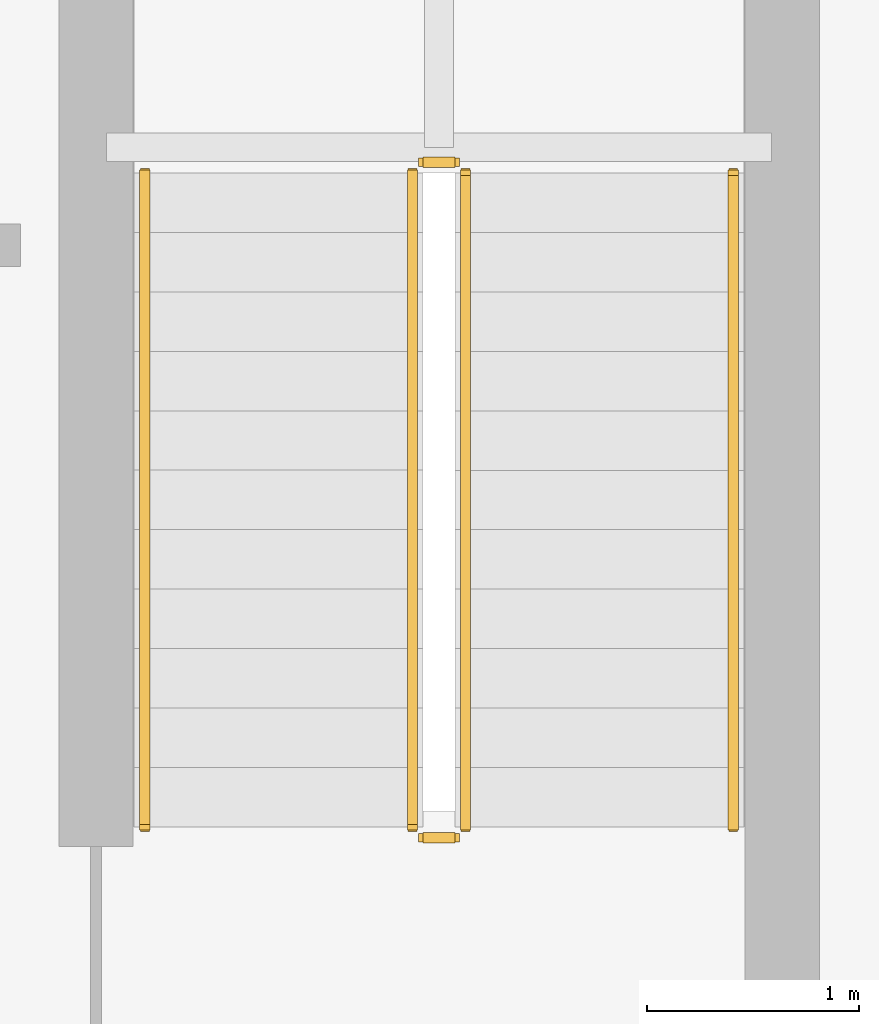
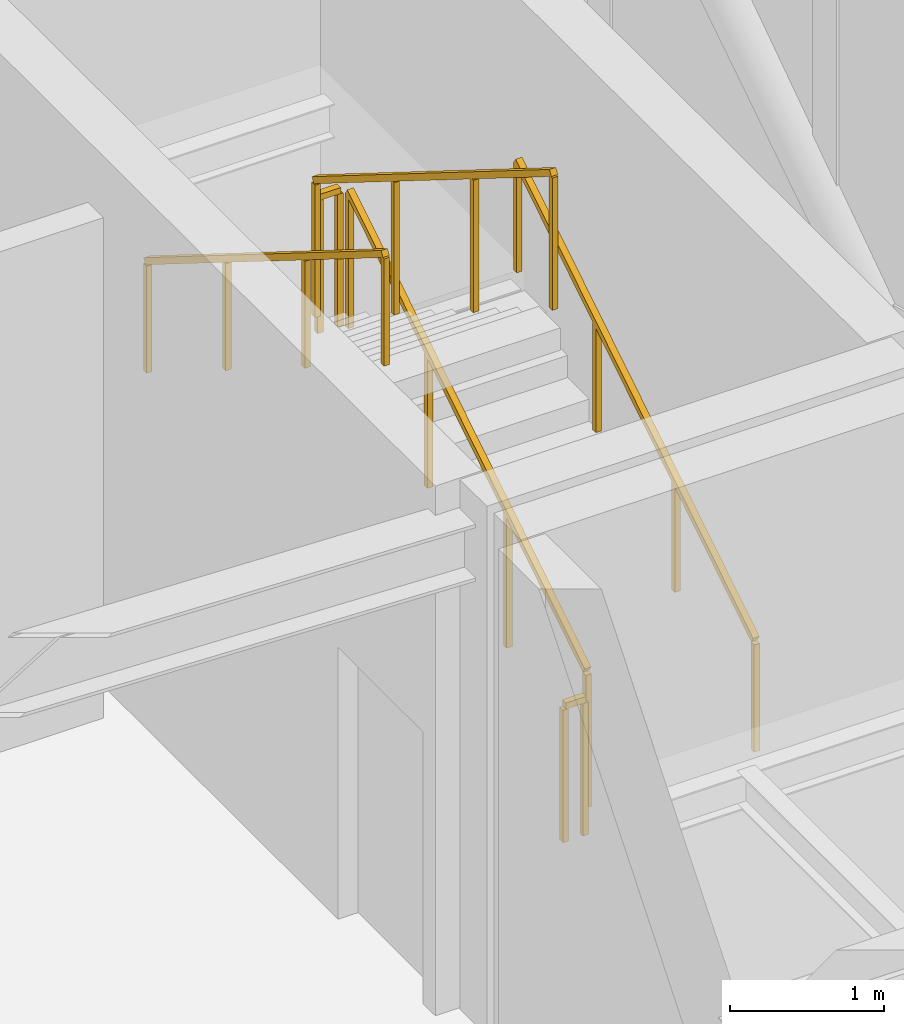
# One storey, part 20 of 20: 6 railings.
"""IFC4 building model written with IfcOpenShell, lengths in metres."""

from ifc_helpers import new_model, si_unit, direction, frame, origin, origin_2d, place, context, subcontext, project, spatial, rectangle, extrude, material, type_object, element, save


model = new_model("IFC4")

# Units and contexts
model_context = context("Model", 3, precision=1e-05, world=origin(), true_north=direction((0.0, 1.0)))
body_context = subcontext(model_context, "Body", "Model", "MODEL_VIEW")
ifc_project = project(units=[si_unit("LENGTHUNIT", "METRE"), si_unit("AREAUNIT", "SQUARE_METRE"), si_unit("VOLUMEUNIT", "CUBIC_METRE"), si_unit("PLANEANGLEUNIT", "RADIAN"), si_unit("MASSUNIT", "GRAM", prefix="KILO")], contexts=[model_context])

# Site, building, storey
site_placement = place(None, origin())
site = spatial("IfcSite", under=ifc_project, at=site_placement, CompositionType="ELEMENT")
building_placement = place(site_placement, origin())
building = spatial("IfcBuilding", under=site, at=building_placement, Name="Varnakorn Sky Granary", CompositionType="ELEMENT")
storey_placement = place(building_placement, frame((0.0, 0.0, 302.39990234375)))
storey = spatial("IfcBuildingStorey", under=building, at=storey_placement, Name="L77", CompositionType="ELEMENT", Elevation=302.39990234375)

# Railings
ifc_material = material(Name="Brushed Stainless Steel 316", Category="steel")
railing_type_1 = type_object("IfcRailingType", Name="RL-STAIR-1100", PredefinedType="GUARDRAIL", material=ifc_material)
railing_1_placement = place(storey_placement, frame((16.090087890625, 1.760009765625, 0.175048828125)))
element("IfcRailing", 1, at=railing_1_placement, inside=storey, type_object=railing_type_1, Name="L77 ST-C1 stair guard 1", PredefinedType="GUARDRAIL", context=body_context, shape_type="SweptSolid", body=[
    extrude(rectangle(XDim=0.048095703125, YDim=0.048095703125, at=origin_2d()), frame((0.0, 0.0, 1.076171875), z_axis=(0.0, 0.847998304005, 0.529998940003), x_axis=(-1.0, 0.0, 0.0)), (0.0, 0.0, 1.0), 3.632080078125),
    extrude(rectangle(XDim=0.0419921875, YDim=0.0419921875, at=origin_2d()), origin(), (0.0, 0.0, 1.0), 1.048095703125),
    extrude(rectangle(XDim=0.0419921875, YDim=0.0419921875, at=origin_2d()), frame((0.0, 1.026611328125, 0.6416015625)), (0.0, 0.0, 1.0), 1.048095703125),
    extrude(rectangle(XDim=0.0419921875, YDim=0.0419921875, at=origin_2d()), frame((0.0, 2.053466796875, 1.283447265625)), (0.0, 0.0, 1.0), 1.048095703125),
    extrude(rectangle(XDim=0.0419921875, YDim=0.0419921875, at=origin_2d()), frame((0.0, 3.080078125, 1.925048828125)), (0.0, 0.0, 1.0), 1.048095703125),
])
railing_2_placement = place(storey_placement, frame((16.0400390625, 4.889892578125, 2.10009765625)))
element("IfcRailing", 2, at=railing_2_placement, inside=storey, type_object=railing_type_1, Name="L77 ST-C1 stair guard 2", PredefinedType="GUARDRAIL", context=body_context, shape_type="SweptSolid", body=[
    extrude(rectangle(XDim=0.048095703125, YDim=0.048095703125, at=origin_2d()), frame((0.0, 0.0, 1.076171875), z_axis=(-1.0, 0.0, 0.0), x_axis=(0.0, -1.0, 0.0)), (0.0, 0.0, 1.0), 0.150146484375),
    extrude(rectangle(XDim=0.0419921875, YDim=0.0419921875, at=origin_2d()), origin(), (0.0, 0.0, 1.0), 1.048095703125),
    extrude(rectangle(XDim=0.0419921875, YDim=0.0419921875, at=origin_2d()), frame((-0.150146484375, 0.0, 0.0)), (0.0, 0.0, 1.0), 1.048095703125),
])
railing_3_placement = place(storey_placement, frame((15.840087890625, 4.840087890625, 2.275146484375)))
element("IfcRailing", 3, at=railing_3_placement, inside=storey, type_object=railing_type_1, Name="L77 ST-C1 stair guard 3", PredefinedType="GUARDRAIL", context=body_context, shape_type="SweptSolid", body=[
    extrude(rectangle(XDim=0.048095703125, YDim=0.048095703125, at=origin_2d()), frame((0.0, 0.0, 1.076171875), z_axis=(0.0, -0.847998304005, 0.529998940003), x_axis=(1.0, 0.0, 0.0)), (0.0, 0.0, 1.0), 3.632080078125),
    extrude(rectangle(XDim=0.0419921875, YDim=0.0419921875, at=origin_2d()), origin(), (0.0, 0.0, 1.0), 1.048095703125),
    extrude(rectangle(XDim=0.0419921875, YDim=0.0419921875, at=origin_2d()), frame((0.0, -1.026611328125, 0.6416015625)), (0.0, 0.0, 1.0), 1.048095703125),
    extrude(rectangle(XDim=0.0419921875, YDim=0.0419921875, at=origin_2d()), frame((0.0, -2.053466796875, 1.283447265625)), (0.0, 0.0, 1.0), 1.048095703125),
    extrude(rectangle(XDim=0.0419921875, YDim=0.0419921875, at=origin_2d()), frame((0.0, -3.080078125, 1.925048828125)), (0.0, 0.0, 1.0), 1.048095703125),
])
railing_4_placement = place(storey_placement, frame((16.0400390625, 1.7099609375, 0.0)))
element("IfcRailing", 4, at=railing_4_placement, inside=storey, type_object=railing_type_1, Name="L77 ST-C1 stair guard 4", PredefinedType="GUARDRAIL", context=body_context, shape_type="SweptSolid", body=[
    extrude(rectangle(XDim=0.048095703125, YDim=0.048095703125, at=origin_2d()), frame((0.0, 0.0, 1.076171875), z_axis=(-1.0, 0.0, 0.0), x_axis=(0.0, -1.0, 0.0)), (0.0, 0.0, 1.0), 0.150146484375),
    extrude(rectangle(XDim=0.0419921875, YDim=0.0419921875, at=origin_2d()), origin(), (0.0, 0.0, 1.0), 1.048095703125),
    extrude(rectangle(XDim=0.0419921875, YDim=0.0419921875, at=origin_2d()), frame((-0.150146484375, 0.0, 0.0)), (0.0, 0.0, 1.0), 1.048095703125),
])
railing_type_2 = type_object("IfcRailingType", Name="RL-STAIR-920", PredefinedType="HANDRAIL", material=ifc_material)
railing_5_placement = place(storey_placement, frame((17.35009765625, 1.760009765625, 0.175048828125)))
element("IfcRailing", 5, at=railing_5_placement, inside=storey, type_object=railing_type_2, Name="L77 ST-C1 stair handrail 1", PredefinedType="HANDRAIL", context=body_context, shape_type="SweptSolid", body=[
    extrude(rectangle(XDim=0.048095703125, YDim=0.048095703125, at=origin_2d()), frame((0.0, 0.0, 0.8759765625), z_axis=(0.0, 0.847998304005, 0.529998940003), x_axis=(-1.0, 0.0, 0.0)), (0.0, 0.0, 1.0), 3.632080078125),
    extrude(rectangle(XDim=0.0419921875, YDim=0.0419921875, at=origin_2d()), origin(), (0.0, 0.0, 1.0), 0.847900390625),
    extrude(rectangle(XDim=0.0419921875, YDim=0.0419921875, at=origin_2d()), frame((0.0, 1.026611328125, 0.6416015625)), (0.0, 0.0, 1.0), 0.847900390625),
    extrude(rectangle(XDim=0.0419921875, YDim=0.0419921875, at=origin_2d()), frame((0.0, 2.053466796875, 1.283447265625)), (0.0, 0.0, 1.0), 0.847900390625),
    extrude(rectangle(XDim=0.0419921875, YDim=0.0419921875, at=origin_2d()), frame((0.0, 3.080078125, 1.925048828125)), (0.0, 0.0, 1.0), 0.847900390625),
])
railing_6_placement = place(storey_placement, frame((14.580078125, 4.840087890625, 2.275146484375)))
element("IfcRailing", 6, at=railing_6_placement, inside=storey, type_object=railing_type_2, Name="L77 ST-C1 stair handrail 2", PredefinedType="HANDRAIL", context=body_context, shape_type="SweptSolid", body=[
    extrude(rectangle(XDim=0.048095703125, YDim=0.048095703125, at=origin_2d()), frame((0.0, 0.0, 0.8759765625), z_axis=(0.0, -0.847998304005, 0.529998940003), x_axis=(1.0, 0.0, 0.0)), (0.0, 0.0, 1.0), 3.632080078125),
    extrude(rectangle(XDim=0.0419921875, YDim=0.0419921875, at=origin_2d()), origin(), (0.0, 0.0, 1.0), 0.847900390625),
    extrude(rectangle(XDim=0.0419921875, YDim=0.0419921875, at=origin_2d()), frame((0.0, -1.026611328125, 0.6416015625)), (0.0, 0.0, 1.0), 0.847900390625),
    extrude(rectangle(XDim=0.0419921875, YDim=0.0419921875, at=origin_2d()), frame((0.0, -2.053466796875, 1.283447265625)), (0.0, 0.0, 1.0), 0.847900390625),
    extrude(rectangle(XDim=0.0419921875, YDim=0.0419921875, at=origin_2d()), frame((0.0, -3.080078125, 1.925048828125)), (0.0, 0.0, 1.0), 0.847900390625),
])

save(model, "model.ifc")
